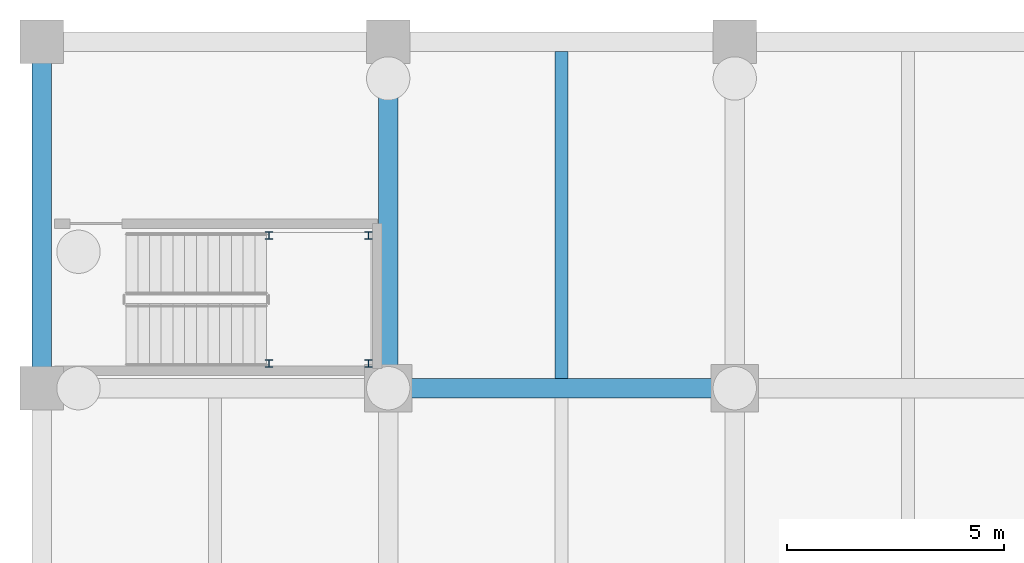
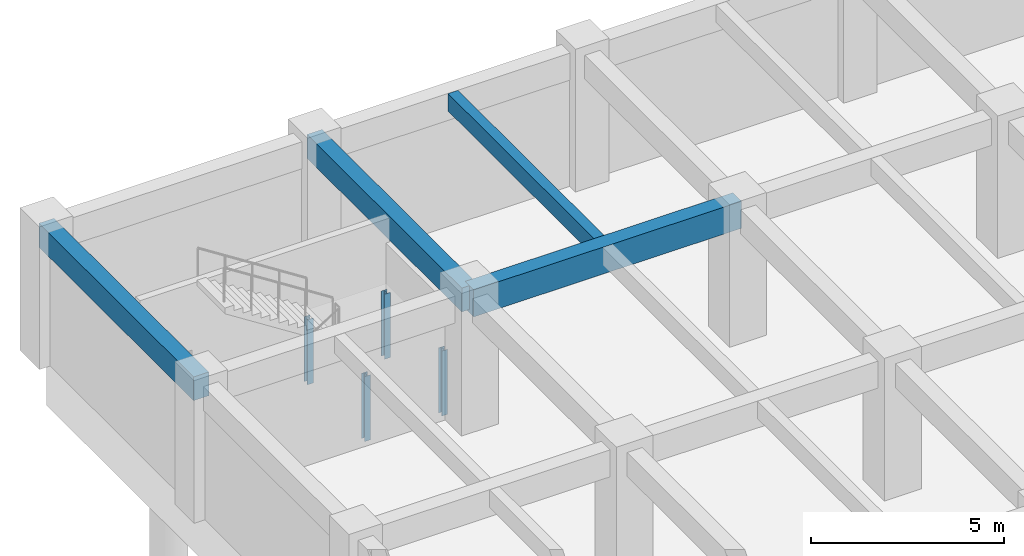
# One storey, part 8 of 15: 4 beams, 4 members.
"""IFC4 building model written with IfcOpenShell, lengths in metres."""

from ifc_helpers import new_model, si_unit, direction, frame, origin, origin_2d, place, context, subcontext, project, spatial, rectangle, i_section, extrude, material, material_profile, profile_set, type_object, element, save


model = new_model("IFC4")

# Units and contexts
model_context = context("Model", 3, precision=1e-05, world=origin(), true_north=direction((0.0, 1.0)))
body_context = subcontext(model_context, "Body", "Model", "MODEL_VIEW")
ifc_project = project(units=[si_unit("LENGTHUNIT", "METRE"), si_unit("AREAUNIT", "SQUARE_METRE"), si_unit("VOLUMEUNIT", "CUBIC_METRE"), si_unit("PLANEANGLEUNIT", "RADIAN"), si_unit("MASSUNIT", "GRAM", prefix="KILO")], contexts=[model_context])

# Site, building, storey
site_placement = place(None, origin())
site = spatial("IfcSite", under=ifc_project, at=site_placement, CompositionType="ELEMENT")
building_placement = place(site_placement, origin())
building = spatial("IfcBuilding", under=site, at=building_placement, Name="Canggui Botanical Conservatory", CompositionType="ELEMENT")
storey_placement = place(building_placement, frame((0.0, 0.0, -9.0)))
storey = spatial("IfcBuildingStorey", under=building, at=storey_placement, Name="B2", CompositionType="ELEMENT", Elevation=-9.0)

# Beams
ifc_material_1 = material(Name="Concrete C35", Category="concrete")
ifc_material_profile_1 = material_profile(ifc_material_1, rectangle(XDim=0.300048828125, YDim=0.550048828125, at=origin_2d()), Name="RB 300x550")
ifc_profile_set_1 = profile_set([ifc_material_profile_1], Name="Concrete C35")
beam_type_1 = type_object("IfcBeamType", Name="BM-JST01", PredefinedType="JOIST", material=ifc_profile_set_1)
beam_1_placement = place(storey_placement, frame((134.0, 98.22998046875, 3.945068359375), z_axis=(0.0, 1.0, 0.0), x_axis=(-1.0, 0.0, 0.0)))
element("IfcBeam", 1, at=beam_1_placement, inside=storey, type_object=beam_type_1, Name="Secondary Floor Joist B2-2-10", PredefinedType="JOIST", context=body_context, shape_type="SweptSolid", body=[
    extrude(rectangle(XDim=0.300048828125, YDim=0.550048828125, at=origin_2d()), origin(), (0.0, 0.0, 1.0), 7.5400390625),
])
ifc_material_profile_2 = material_profile(ifc_material_1, rectangle(XDim=0.449951171875, YDim=0.85009765625, at=origin_2d()), Name="RB 450x850")
ifc_profile_set_2 = profile_set([ifc_material_profile_2], Name="Concrete C35")
beam_type_2 = type_object("IfcBeamType", Name="BM-KL05", PredefinedType="BEAM", material=ifc_profile_set_2)
beam_2_placement = place(storey_placement, frame((130.0, 98.0, 3.794921875), z_axis=(1.0, 0.0, 0.0), x_axis=(0.0, 1.0, 0.0)))
element("IfcBeam", 2, at=beam_2_placement, inside=storey, type_object=beam_type_2, Name="Frame Girder B2 Y98-2", PredefinedType="BEAM", context=body_context, shape_type="SweptSolid", body=[
    extrude(rectangle(XDim=0.449951171875, YDim=0.85009765625, at=origin_2d()), origin(), (0.0, 0.0, 1.0), 8.0),
])
ifc_material_profile_3 = material_profile(ifc_material_1, rectangle(XDim=0.449951171875, YDim=0.75, at=origin_2d()), Name="RB 450x750")
ifc_profile_set_3 = profile_set([ifc_material_profile_3], Name="Concrete C35")
beam_type_3 = type_object("IfcBeamType", Name="BM-KL06", PredefinedType="BEAM", material=ifc_profile_set_3)
for number, where, z_axis, x_axis, name in (
    (3, (122.0, 98.0, 3.844970703125), (0.0, 1.0, 0.0), (-1.0, 0.0, 0.0), "Frame Girder B2 X122-10"),
    (4, (130.0, 98.0, 3.844970703125), (0.0, 1.0, 0.0), (-1.0, 0.0, 0.0), "Frame Girder B2 X130-10"),
):
    element("IfcBeam", number, at=place(storey_placement, frame(where, z_axis=z_axis, x_axis=x_axis)), inside=storey, type_object=beam_type_3, Name=name, PredefinedType="BEAM", context=body_context, shape_type="SweptSolid", body=[
        extrude(rectangle(XDim=0.449951171875, YDim=0.75, at=origin_2d()), origin(), (0.0, 0.0, 1.0), 8.0),
    ])

# Members
ifc_material_2 = material(Name="Steel Q355B", Category="steel")
ifc_material_profile_4 = material_profile(ifc_material_2, i_section(OverallWidth=0.175048828125, OverallDepth=0.175048828125, WebThickness=0.007568359375, FlangeThickness=0.010986328125, FilletRadius=0.011962890625, at=origin_2d()), Name="HW 175x175x7.5x11")
ifc_profile_set_4 = profile_set([ifc_material_profile_4], Name="Steel Q355B")
member_type = type_object("IfcMemberType", Name="MEM-STR02", PredefinedType="STRINGER", material=ifc_profile_set_4)
for number, where, z_axis, x_axis, name in (
    (5, (127.244873046875, 98.571044921875, 0.0), (0.0, 0.0, 1.0), (1.0, 0.0, 0.0), "ST-G2 Landing Support Post B2-1.1"),
    (6, (129.544921875, 98.571044921875, 0.0), (0.0, 0.0, 1.0), (1.0, 0.0, 0.0), "ST-G2 Landing Support Post B2-1.2"),
    (7, (129.544921875, 101.529052734375, 0.0), (0.0, 0.0, 1.0), (1.0, 0.0, 0.0), "ST-G2 Landing Support Post B2-1.3"),
    (8, (127.244873046875, 101.529052734375, 0.0), (0.0, 0.0, 1.0), (1.0, 0.0, 0.0), "ST-G2 Landing Support Post B2-1.4"),
):
    element("IfcMember", number, at=place(storey_placement, frame(where, z_axis=z_axis, x_axis=x_axis)), inside=storey, type_object=member_type, Name=name, PredefinedType="POST", context=body_context, shape_type="SweptSolid", body=[
        extrude(i_section(OverallWidth=0.175048828125, OverallDepth=0.175048828125, WebThickness=0.007568359375, FlangeThickness=0.010986328125, FilletRadius=0.011962890625, at=origin_2d()), origin(), (0.0, 0.0, 1.0), 2.050048828125),
    ])

save(model, "model.ifc")
